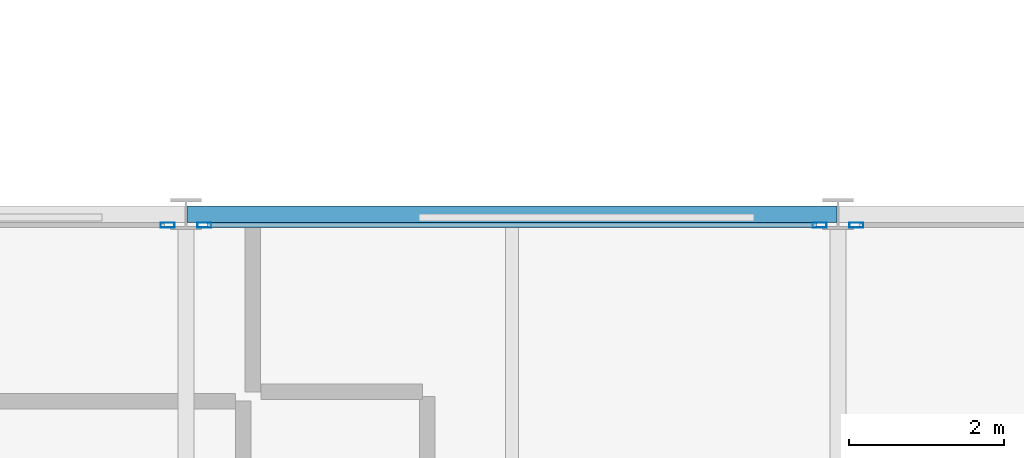
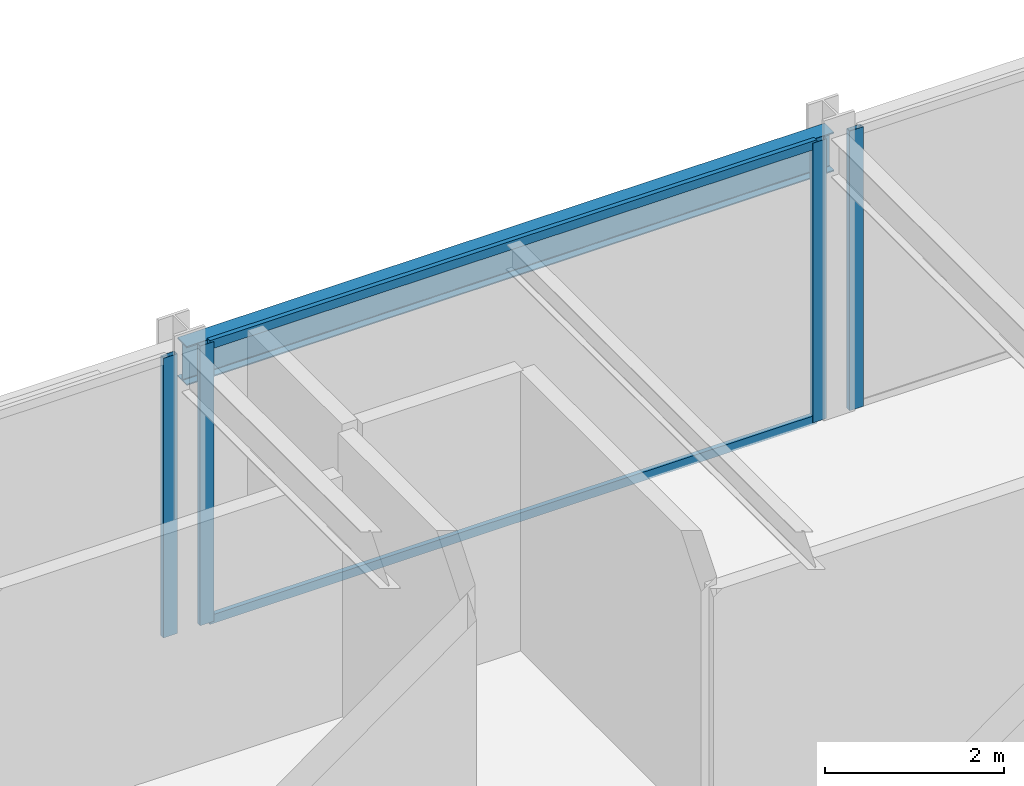
# One storey, part 20 of 38: 6 members, 1 beam, 3 elements without a shape of their own.
"""IFC4 building model written with IfcOpenShell, lengths in metres."""

from ifc_helpers import new_model, si_unit, direction, frame, origin, origin_2d, place, context, subcontext, project, spatial, hollow_rectangle, i_section, extrude, material, layer, layer_set, material_profile, profile_set, type_object, element, aggregate, save


model = new_model("IFC4")

# Units and contexts
model_context = context("Model", 3, precision=1e-05, world=origin(), true_north=direction((0.0, 1.0)))
body_context = subcontext(model_context, "Body", "Model", "MODEL_VIEW")
ifc_project = project(units=[si_unit("LENGTHUNIT", "METRE"), si_unit("AREAUNIT", "SQUARE_METRE"), si_unit("VOLUMEUNIT", "CUBIC_METRE"), si_unit("PLANEANGLEUNIT", "RADIAN"), si_unit("MASSUNIT", "GRAM", prefix="KILO")], contexts=[model_context])

# Site, building, storey
site_placement = place(None, origin())
site = spatial("IfcSite", under=ifc_project, at=site_placement, CompositionType="ELEMENT")
building_placement = place(site_placement, origin())
building = spatial("IfcBuilding", under=site, at=building_placement, Name="Nerrivon Quay Data Exchange", CompositionType="ELEMENT")
storey_placement = place(building_placement, frame((0.0, 0.0, 100.800048828125)))
storey = spatial("IfcBuildingStorey", under=building, at=storey_placement, Name="L23", CompositionType="ELEMENT", Elevation=100.800048828125)

# Beam
ifc_material_1 = material(Name="Steel Grade 350", Category="steel")
ifc_material_profile_1 = material_profile(ifc_material_1, i_section(OverallWidth=0.208984375, OverallDepth=0.532958984375, WebThickness=0.01025390625, FlangeThickness=0.015625, FilletRadius=0.013916015625, at=origin_2d()), Name="530UB92.4")
ifc_profile_set_1 = profile_set([ifc_material_profile_1], Name="Steel Grade 350")
beam_type = type_object("IfcBeamType", Name="BM-G3-530UB92", PredefinedType="BEAM", material=ifc_profile_set_1)
beam_placement = place(storey_placement, frame((33.612548828125, 25.199951171875, 3.558349609375), z_axis=(1.0, 0.0, 0.0), x_axis=(0.0, 1.0, 0.0)))
element("IfcBeam", 1, at=beam_placement, inside=storey, type_object=beam_type, Name="L23 EW Girder Y=25.2 (33.6..42.0)", PredefinedType="BEAM", context=body_context, shape_type="SweptSolid", body=[
    extrude(i_section(OverallWidth=0.208984375, OverallDepth=0.532958984375, WebThickness=0.01025390625, FlangeThickness=0.015625, FilletRadius=0.013916015625, at=origin_2d()), origin(), (0.0, 0.0, 1.0), 8.375),
])

# Curtain wall, member
ifc_material_2 = material(Name="Anodised aluminium 6063-T6", Category="aluminium")
ifc_layer = layer(ifc_material_2, 0.2099609375)
ifc_layer_set = layer_set([ifc_layer], Name="Anodised aluminium 6063-T6")
curtain_wall_type = type_object("IfcCurtainWallType", Name="CW-SYS-02", PredefinedType="NOTDEFINED", material=ifc_layer_set)
curtain_wall_1_placement = place(storey_placement, origin())
curtain_wall_1 = element("IfcCurtainWall", 2, at=curtain_wall_1_placement, inside=storey, type_object=curtain_wall_type, Name="L23 Unitised Curtain Wall 32", PredefinedType="NOTDEFINED")
ifc_material_profile_2 = material_profile(ifc_material_2, hollow_rectangle(XDim=0.06494140625, YDim=0.179931640625, WallThickness=0.00341796875, at=origin_2d()), Name="ALU-MULL-180x65")
ifc_profile_set_2 = profile_set([ifc_material_profile_2], Name="Anodised aluminium 6063-T6")
member_type_1 = type_object("IfcMemberType", Name="CWM-180x65", PredefinedType="MULLION", material=ifc_profile_set_2)
member_1_placement = place(storey_placement, frame((33.362548828125, 25.06005859375, 0.0), z_axis=(0.0, 0.0, 1.0), x_axis=(0.0, 1.0, 0.0)))
member_1 = element("IfcMember", 3, at=member_1_placement, type_object=member_type_1, Name="CW02 mullion 2", PredefinedType="MULLION", context=body_context, shape_type="SweptSolid", body=[
    extrude(hollow_rectangle(XDim=0.06494140625, YDim=0.179931640625, WallThickness=0.00341796875, at=origin_2d()), origin(), (0.0, 0.0, 1.0), 3.824951171875),
])
aggregate(curtain_wall_1, [member_1])

# Curtain wall, members
curtain_wall_2_placement = place(storey_placement, origin())
curtain_wall_2 = element("IfcCurtainWall", 4, at=curtain_wall_2_placement, inside=storey, type_object=curtain_wall_type, Name="L23 Unitised Curtain Wall 33", PredefinedType="NOTDEFINED")
member_2_placement = place(storey_placement, frame((33.83740234375, 25.06005859375, 0.0), z_axis=(0.0, 0.0, 1.0), x_axis=(0.0, 1.0, 0.0)))
member_2 = element("IfcMember", 5, at=member_2_placement, type_object=member_type_1, Name="CW02 mullion 1", PredefinedType="MULLION", context=body_context, shape_type="SweptSolid", body=[
    extrude(hollow_rectangle(XDim=0.06494140625, YDim=0.179931640625, WallThickness=0.00341796875, at=origin_2d()), origin(), (0.0, 0.0, 1.0), 3.824951171875),
])
member_3_placement = place(storey_placement, frame((41.762451171875, 25.06005859375, 0.0), z_axis=(0.0, 0.0, 1.0), x_axis=(0.0, 1.0, 0.0)))
member_3 = element("IfcMember", 6, at=member_3_placement, type_object=member_type_1, Name="CW02 mullion 2", PredefinedType="MULLION", context=body_context, shape_type="SweptSolid", body=[
    extrude(hollow_rectangle(XDim=0.06494140625, YDim=0.179931640625, WallThickness=0.00341796875, at=origin_2d()), origin(), (0.0, 0.0, 1.0), 3.824951171875),
])

# Curtain wall, member
curtain_wall_3_placement = place(storey_placement, origin())
curtain_wall_3 = element("IfcCurtainWall", 7, at=curtain_wall_3_placement, inside=storey, type_object=curtain_wall_type, Name="L23 Unitised Curtain Wall 34", PredefinedType="NOTDEFINED")
member_4_placement = place(storey_placement, frame((42.237548828125, 25.06005859375, 0.0), z_axis=(0.0, 0.0, 1.0), x_axis=(0.0, 1.0, 0.0)))
member_4 = element("IfcMember", 8, at=member_4_placement, type_object=member_type_1, Name="CW02 mullion 1", PredefinedType="MULLION", context=body_context, shape_type="SweptSolid", body=[
    extrude(hollow_rectangle(XDim=0.06494140625, YDim=0.179931640625, WallThickness=0.00341796875, at=origin_2d()), origin(), (0.0, 0.0, 1.0), 3.824951171875),
])
aggregate(curtain_wall_3, [member_4])

# Member
ifc_material_profile_3 = material_profile(ifc_material_2, hollow_rectangle(XDim=0.06005859375, YDim=0.1201171875, WallThickness=0.003173828125, at=origin_2d()), Name="ALU-TRAN-120x60")
ifc_profile_set_3 = profile_set([ifc_material_profile_3], Name="Anodised aluminium 6063-T6")
member_type_2 = type_object("IfcMemberType", Name="CWT-120x60", PredefinedType="USERDEFINED", material=ifc_profile_set_3)
member_5_placement = place(storey_placement, frame((33.875, 25.06005859375, 0.032470703125), z_axis=(1.0, 0.0, 0.0), x_axis=(0.0, 1.0, 0.0)))
member_5 = element("IfcMember", 9, at=member_5_placement, type_object=member_type_2, Name="CW02 transom 1.1", ObjectType="TRANSOM", PredefinedType="USERDEFINED", context=body_context, shape_type="SweptSolid", body=[
    extrude(hollow_rectangle(XDim=0.06005859375, YDim=0.1201171875, WallThickness=0.003173828125, at=origin_2d()), origin(), (0.0, 0.0, 1.0), 7.85009765625),
])

member_6_placement = place(storey_placement, frame((33.875, 25.06005859375, 3.79248046875), z_axis=(1.0, 0.0, 0.0), x_axis=(0.0, 1.0, 0.0)))
member_6 = element("IfcMember", 10, at=member_6_placement, type_object=member_type_2, Name="CW02 transom 1.2", ObjectType="TRANSOM", PredefinedType="USERDEFINED", context=body_context, shape_type="SweptSolid", body=[
    extrude(hollow_rectangle(XDim=0.06005859375, YDim=0.1201171875, WallThickness=0.003173828125, at=origin_2d()), origin(), (0.0, 0.0, 1.0), 7.85009765625),
])

aggregate(curtain_wall_2, [member_2, member_3, member_5, member_6])

save(model, "model.ifc")
